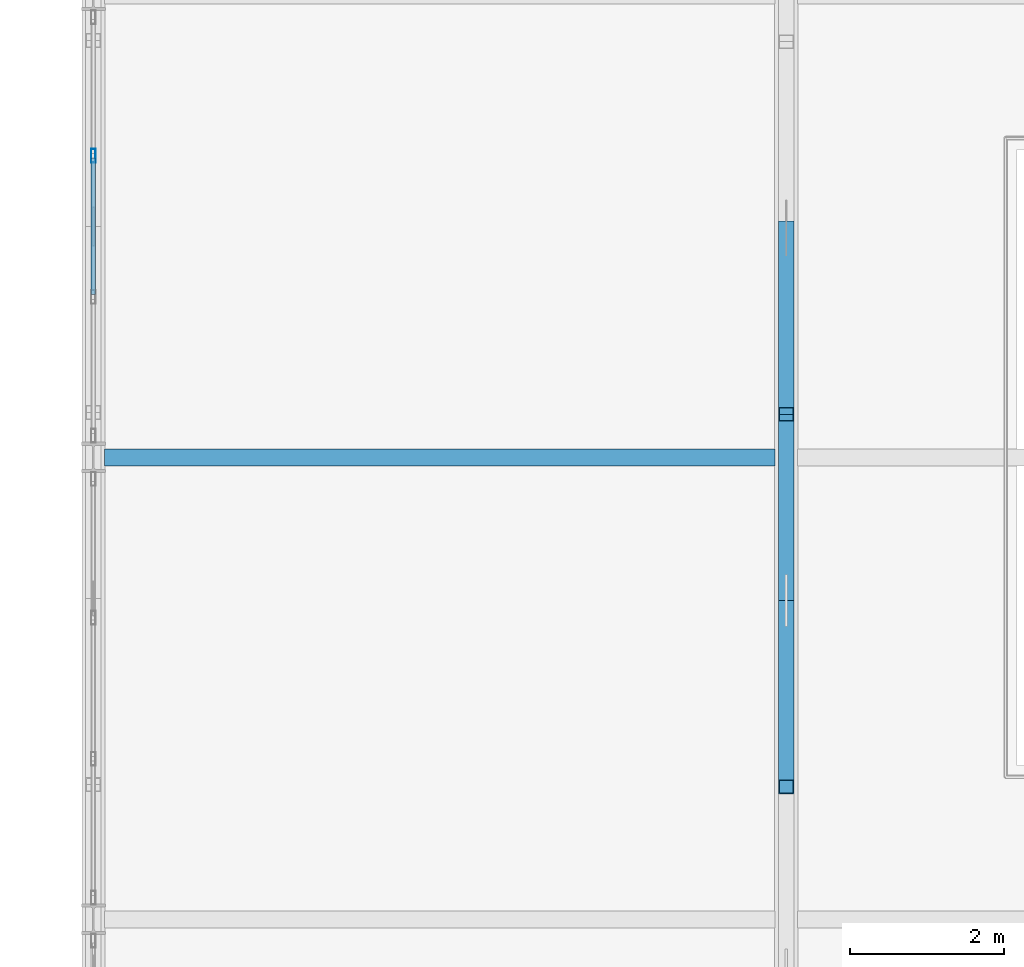
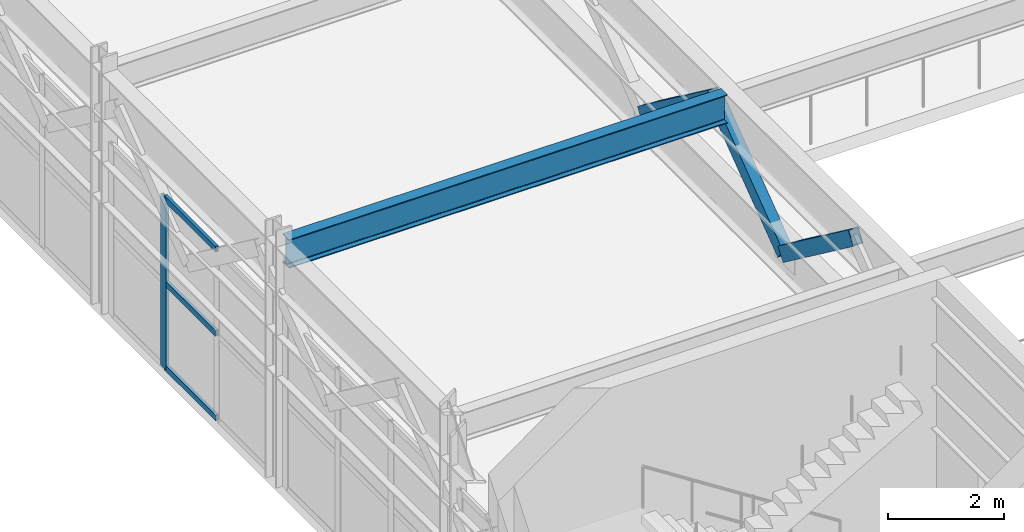
# One storey, part 24 of 210: 7 members, 1 beam, 1 element without a shape of its own.
"""IFC4 building model written with IfcOpenShell, lengths in metres."""

import ifcopenshell
import ifcopenshell.guid

model = None  # the IFC model being written
_history = None  # IfcOwnerHistory: only IFC2X3 demands one
_inside = {}  # id of a spatial element -> (the spatial element, [elements in it])
_under = {}  # id of a project, library or spatial element -> (it, [spatial elements below it])
_declared = {}  # id of a project -> (the project, [libraries it declares])
_typed = {}  # id of a type object -> (the type object, [elements of that type])
_made_of = {}  # id of a material, layer set ... -> (it, [elements and type objects made of it])


def new_model(schema):
    """Start an empty IFC model of exactly this schema.

    Asked for "IFC4X3", IfcOpenShell would pick the latest addendum, in which some entities
    have other attributes; the version numbers below select the first issue.
    IFC2X3 requires an IfcOwnerHistory on every rooted entity: one is made here for all.
    """
    global model, _history
    if schema == "IFC4X3":
        model = ifcopenshell.file(schema_version=(4, 3, 0, 0))
    else:
        model = ifcopenshell.file(schema=schema)
    _inside.clear()
    _under.clear()
    _declared.clear()
    _typed.clear()
    _made_of.clear()
    _history = None
    if model.schema == "IFC2X3":
        org = make("IfcOrganization", Name="unknown")
        user = make(
            "IfcPersonAndOrganization",
            ThePerson=make("IfcPerson", FamilyName="unknown"),
            TheOrganization=org,
        )
        app = make(
            "IfcApplication",
            ApplicationDeveloper=org,
            Version="unknown",
            ApplicationFullName="unknown",
            ApplicationIdentifier="unknown",
        )
        _history = make(
            "IfcOwnerHistory",
            OwningUser=user,
            OwningApplication=app,
            ChangeAction="ADDED",
            CreationDate=0,
        )
    return model


def make(cls, **values):
    """One entity of the class cls with the attributes given. An attribute that is None is left unset."""
    return model.create_entity(
        cls, **{name: value for name, value in values.items() if value is not None}
    )


def rooted(cls, **values):
    """An entity with a GlobalId (a new one), such as an element, a storey or a relation."""
    return make(cls, GlobalId=ifcopenshell.guid.new(), OwnerHistory=_history, **values)


def si_unit(unit_type, name, prefix=None):
    """IfcSIUnit, for example si_unit("LENGTHUNIT", "METRE", prefix="MILLI")."""
    return make("IfcSIUnit", UnitType=unit_type, Prefix=prefix, Name=name)


def assignment(units):
    """IfcUnitAssignment: the units of a project."""
    return None if units is None else make("IfcUnitAssignment", Units=units)


def point(xyz):
    """IfcCartesianPoint."""
    return None if xyz is None else make("IfcCartesianPoint", Coordinates=xyz)


def direction(xyz):
    """IfcDirection."""
    return None if xyz is None else make("IfcDirection", DirectionRatios=xyz)


def frame(location, z_axis=None, x_axis=None):
    """IfcAxis2Placement3D, a coordinate frame: its origin and axes. An axis left out is left unset."""
    return make(
        "IfcAxis2Placement3D",
        Location=point(location),
        Axis=direction(z_axis),
        RefDirection=direction(x_axis),
    )


def frame_2d(location, x_axis=None):
    """IfcAxis2Placement2D, a coordinate frame in the plane: its origin and x axis."""
    return make(
        "IfcAxis2Placement2D", Location=point(location), RefDirection=direction(x_axis)
    )


def origin():
    """The frame at (0, 0, 0) with its axes left unset."""
    return frame((0.0, 0.0, 0.0))


def origin_2d():
    """The frame at (0, 0) in the plane with its x axis left unset."""
    return frame_2d((0.0, 0.0))


def place(relative_to, where):
    """IfcLocalPlacement: puts the frame where relative to a parent placement (None: the world)."""
    return make(
        "IfcLocalPlacement", PlacementRelTo=relative_to, RelativePlacement=where
    )


def context(
    kind, dimensions, precision=None, world=None, true_north=None, identifier=None
):
    """IfcGeometricRepresentationContext, for example the 3D "Model" context."""
    return make(
        "IfcGeometricRepresentationContext",
        ContextIdentifier=identifier,
        ContextType=kind,
        CoordinateSpaceDimension=dimensions,
        Precision=precision,
        WorldCoordinateSystem=world,
        TrueNorth=true_north,
    )


def subcontext(parent, identifier, kind, view, scale=None):
    """IfcGeometricRepresentationSubContext, for example "Body" below "Model"."""
    return make(
        "IfcGeometricRepresentationSubContext",
        ContextIdentifier=identifier,
        ContextType=kind,
        ParentContext=parent,
        TargetScale=scale,
        TargetView=view,
    )


def project(units=None, contexts=None):
    """IfcProject with its units and contexts."""
    return rooted(
        "IfcProject",
        Name="project",
        RepresentationContexts=contexts,
        UnitsInContext=assignment(units),
    )


def spatial(cls, under=None, at=None, **own):
    """A site, building, storey or space (cls), placed at a placement, below another one or the project."""
    s = rooted(cls, ObjectPlacement=at, **own)
    if under is not None:
        _under.setdefault(under.id(), (under, []))[1].append(s)
    return s


def profile(cls, at=None, kind="AREA", **sizes):
    """A parametric profile (cls). Its sizes go by their IFC names, for example OverallWidth=200.0."""
    return make(cls, ProfileType=kind, Position=at, **sizes)


def hollow_rectangle(**sizes):
    """IfcRectangleHollowProfileDef."""
    return profile("IfcRectangleHollowProfileDef", **sizes)


def i_section(**sizes):
    """IfcIShapeProfileDef."""
    return profile("IfcIShapeProfileDef", **sizes)


def extrude(swept, where, along, depth):
    """IfcExtrudedAreaSolid: the profile swept, set in the frame where, extruded along a direction by depth."""
    return make(
        "IfcExtrudedAreaSolid",
        SweptArea=swept,
        Position=where,
        ExtrudedDirection=direction(along),
        Depth=depth,
    )


def shape(context_of_items, identifier, shape_type, items):
    """IfcShapeRepresentation: the items that make up one representation, for example the "Body"."""
    return make(
        "IfcShapeRepresentation",
        ContextOfItems=context_of_items,
        RepresentationIdentifier=identifier,
        RepresentationType=shape_type,
        Items=items,
    )


def material(Name=None, Category=None):
    """IfcMaterial."""
    return make("IfcMaterial", Name=Name, Category=Category)


def material_profile(
    of_material, cross_section, Name=None, Category=None, Priority=None
):
    """IfcMaterialProfile: a cross section and its material."""
    return make(
        "IfcMaterialProfile",
        Name=Name,
        Material=of_material,
        Profile=cross_section,
        Priority=Priority,
        Category=Category,
    )


def profile_set(profiles, Name=None, composite=None):
    """IfcMaterialProfileSet."""
    return make(
        "IfcMaterialProfileSet",
        Name=Name,
        MaterialProfiles=profiles,
        CompositeProfile=composite,
    )


def made_of(thing, what):
    """Note that an element or type object is made of a material, layer set ...; save() writes the relation."""
    if what is not None:
        _made_of.setdefault(what.id(), (what, []))[1].append(thing)
    return thing


def type_object(cls, material=None, **own):
    """A type object (cls), such as IfcWallType, which elements share."""
    return made_of(rooted(cls, **own), material)


def element(
    cls,
    number,
    at=None,
    inside=None,
    cuts=None,
    type_object=None,
    material=None,
    context=None,
    identifier="Body",
    shape_type=None,
    held_by="IfcProductDefinitionShape",
    body=None,
    shapes=None,
    **own,
):
    """One element of the class cls, such as IfcWall. Its Tag is "e" and its number.

    at: its placement. inside: the storey or other place that contains it. cuts: it is an
    opening in that element (IfcRelVoidsElement). A single representation is given by context,
    identifier, shape_type and body (its items); several are given by shapes. held_by: the class
    of the entity that holds the representations. save() writes the other relations.
    """
    e = rooted(cls, Tag="e%d" % number, ObjectPlacement=at, **own)
    if body is not None:
        shapes = [shape(context, identifier, shape_type, body)]
    if shapes is not None:
        e.Representation = make(held_by, Representations=shapes)
    if inside is not None:
        _inside.setdefault(inside.id(), (inside, []))[1].append(e)
    if cuts is not None:
        rooted(
            "IfcRelVoidsElement", RelatingBuildingElement=cuts, RelatedOpeningElement=e
        )
    if type_object is not None:
        _typed.setdefault(type_object.id(), (type_object, []))[1].append(e)
    return made_of(e, material)


def aggregate(whole, parts):
    """IfcRelAggregates: a whole, such as a stair, and the parts it consists of."""
    return rooted("IfcRelAggregates", RelatingObject=whole, RelatedObjects=parts)


def save(model, path):
    """Write the relations noted so far, then the file.

    IfcRelAggregates (storeys below a building ...), IfcRelContainedInSpatialStructure (elements
    in a storey), IfcRelDefinesByType, IfcRelAssociatesMaterial and IfcRelDeclares: one each for
    every whole, place, type object, material and project.
    """
    for whole, parts in _under.values():
        aggregate(whole, parts)
    for where, things in _inside.values():
        rooted(
            "IfcRelContainedInSpatialStructure",
            RelatedElements=things,
            RelatingStructure=where,
        )
    for kind, things in _typed.values():
        rooted("IfcRelDefinesByType", RelatedObjects=things, RelatingType=kind)
    for what, things in _made_of.values():
        rooted("IfcRelAssociatesMaterial", RelatedObjects=things, RelatingMaterial=what)
    for by, libraries in _declared.values():
        rooted("IfcRelDeclares", RelatingContext=by, RelatedDefinitions=libraries)
    model.write(path)


model = new_model("IFC4")

# Units and contexts
model_context = context("Model", 3, precision=1e-05, world=origin(), true_north=direction((0.0, 1.0)))
body_context = subcontext(model_context, "Body", "Model", "MODEL_VIEW")
ifc_project = project(units=[si_unit("LENGTHUNIT", "METRE"), si_unit("AREAUNIT", "SQUARE_METRE"), si_unit("VOLUMEUNIT", "CUBIC_METRE"), si_unit("PLANEANGLEUNIT", "RADIAN"), si_unit("MASSUNIT", "GRAM", prefix="KILO")], contexts=[model_context])

# Site, building, storey
site_placement = place(None, origin())
site = spatial("IfcSite", under=ifc_project, at=site_placement, CompositionType="ELEMENT")
building_placement = place(site_placement, origin())
building = spatial("IfcBuilding", under=site, at=building_placement, Name="Kaldris Quays Convention Centre", CompositionType="ELEMENT")
storey_placement = place(building_placement, frame((0.0, 0.0, 6.0)))
storey = spatial("IfcBuildingStorey", under=building, at=storey_placement, Name="L01", CompositionType="ELEMENT", Elevation=6.0)

# Curtain wall, members
ifc_material_1 = material(Name="Anodized aluminium AW-6060 and triple glazing", Category="aluminium")
curtain_wall_type = type_object("IfcCurtainWallType", Name="UNITISED CURTAIN WALL CW05", PredefinedType="NOTDEFINED", material=ifc_material_1)
curtain_wall_placement = place(storey_placement, origin())
curtain_wall = element("IfcCurtainWall", 1, at=curtain_wall_placement, inside=storey, type_object=curtain_wall_type, Name="L01 Unitised Curtain Wall CW05 75", PredefinedType="NOTDEFINED")
ifc_material_2 = material(Name="Anodized aluminium AW-6060", Category="aluminium")
ifc_material_profile_1 = material_profile(ifc_material_2, hollow_rectangle(XDim=0.06005859375, YDim=0.179931640625, WallThickness=0.0048828125, at=origin_2d()), Name="RHS 180x60x5")
ifc_profile_set_1 = profile_set([ifc_material_profile_1], Name="Anodized aluminium AW-6060")
member_type_1 = type_object("IfcMemberType", Name="CURTAIN MULLION CWM2", PredefinedType="MULLION", material=ifc_profile_set_1)
member_1_placement = place(storey_placement, frame((20.0, 31.916748046875, 0.0), z_axis=(0.0, 0.0, 1.0), x_axis=(-1.0, 0.0, 0.0)))
member_1 = element("IfcMember", 2, at=member_1_placement, type_object=member_type_1, Name="CW05 mullion 3", PredefinedType="MULLION", context=body_context, shape_type="SweptSolid", body=[
    extrude(hollow_rectangle(XDim=0.06005859375, YDim=0.179931640625, WallThickness=0.0048828125, at=origin_2d()), origin(), (0.0, 0.0, 1.0), 3.60009765625),
])
ifc_material_profile_2 = material_profile(ifc_material_2, hollow_rectangle(XDim=0.06005859375, YDim=0.1201171875, WallThickness=0.00390625, at=origin_2d()), Name="RHS 120x60x4")
ifc_profile_set_2 = profile_set([ifc_material_profile_2], Name="Anodized aluminium AW-6060")
member_type_2 = type_object("IfcMemberType", Name="CURTAIN TRANSOM CWT1", PredefinedType="USERDEFINED", material=ifc_profile_set_2)
member_2_placement = place(storey_placement, frame((20.0, 30.11328125, 0.030029296875), z_axis=(0.0, 1.0, 0.0), x_axis=(-1.0, 0.0, 0.0)))
member_2 = element("IfcMember", 3, at=member_2_placement, type_object=member_type_2, Name="CW05 transom 2.1", ObjectType="TRANSOM", PredefinedType="USERDEFINED", context=body_context, shape_type="SweptSolid", body=[
    extrude(hollow_rectangle(XDim=0.06005859375, YDim=0.1201171875, WallThickness=0.00390625, at=origin_2d()), origin(), (0.0, 0.0, 1.0), 1.7734375),
])
member_3_placement = place(storey_placement, frame((20.0, 30.11328125, 1.800048828125), z_axis=(0.0, 1.0, 0.0), x_axis=(-1.0, 0.0, 0.0)))
member_3 = element("IfcMember", 4, at=member_3_placement, type_object=member_type_2, Name="CW05 transom 2.2", ObjectType="TRANSOM", PredefinedType="USERDEFINED", context=body_context, shape_type="SweptSolid", body=[
    extrude(hollow_rectangle(XDim=0.06005859375, YDim=0.1201171875, WallThickness=0.00390625, at=origin_2d()), origin(), (0.0, 0.0, 1.0), 1.7734375),
])
member_4_placement = place(storey_placement, frame((20.0, 30.11328125, 3.570068359375), z_axis=(0.0, 1.0, 0.0), x_axis=(-1.0, 0.0, 0.0)))
member_4 = element("IfcMember", 5, at=member_4_placement, type_object=member_type_2, Name="CW05 transom 2.3", ObjectType="TRANSOM", PredefinedType="USERDEFINED", context=body_context, shape_type="SweptSolid", body=[
    extrude(hollow_rectangle(XDim=0.06005859375, YDim=0.1201171875, WallThickness=0.00390625, at=origin_2d()), origin(), (0.0, 0.0, 1.0), 1.7734375),
])
aggregate(curtain_wall, [member_1, member_2, member_3, member_4])

# Beam
ifc_material_3 = material(Name="Steel S355J2", Category="steel")
ifc_material_profile_3 = material_profile(ifc_material_3, i_section(OverallWidth=0.219970703125, OverallDepth=0.60009765625, WebThickness=0.011962890625, FlangeThickness=0.01904296875, FilletRadius=0.02392578125, at=origin_2d()), Name="IPE 600")
ifc_profile_set_3 = profile_set([ifc_material_profile_3], Name="Steel S355J2")
beam_type = type_object("IfcBeamType", Name="STRUCTURAL BEAM BM10", PredefinedType="BEAM", material=ifc_profile_set_3)
beam_placement = place(storey_placement, frame((20.14501953125, 28.0, 4.758056640625), z_axis=(1.0, 0.0, 0.0), x_axis=(0.0, 1.0, 0.0)))
element("IfcBeam", 6, at=beam_placement, inside=storey, type_object=beam_type, Name="L01 Ballroom Tie Beam BM10", PredefinedType="BEAM", context=body_context, shape_type="SweptSolid", body=[
    extrude(i_section(OverallWidth=0.219970703125, OverallDepth=0.60009765625, WebThickness=0.011962890625, FlangeThickness=0.01904296875, FilletRadius=0.02392578125, at=origin_2d()), origin(), (0.0, 0.0, 1.0), 8.7099609375),
])

# Members
ifc_material_4 = material(Name="Steel S355J2H", Category="steel")
ifc_material_profile_4 = material_profile(ifc_material_4, hollow_rectangle(XDim=0.199951171875, YDim=0.300048828125, WallThickness=0.012451171875, at=origin_2d()), Name="RHS 300x200x12.5")
ifc_profile_set_4 = profile_set([ifc_material_profile_4], Name="Steel S355J2H")
member_type_3 = type_object("IfcMemberType", Name="STRUCTURAL MEMBER TTD1", PredefinedType="BRACE", material=ifc_profile_set_4)
member_5_placement = place(storey_placement, frame((29.0, 26.139892578125, 2.75), z_axis=(0.0, -0.801084905857, 0.598550727681), x_axis=(1.0, 0.0, 0.0)))
element("IfcMember", 7, at=member_5_placement, inside=storey, type_object=member_type_3, Name="Transfer Truss TT02 Diagonal 2", PredefinedType="BRACE", context=body_context, shape_type="SweptSolid", body=[
    extrude(hollow_rectangle(XDim=0.199951171875, YDim=0.300048828125, WallThickness=0.012451171875, at=origin_2d()), origin(), (0.0, 0.0, 1.0), 3.020751953125),
])
member_6_placement = place(storey_placement, frame((29.0, 26.139892578125, 2.75), z_axis=(0.0, 0.801113857753, 0.598511977254), x_axis=(-1.0, 0.0, 0.0)))
element("IfcMember", 8, at=member_6_placement, inside=storey, type_object=member_type_3, Name="Transfer Truss TT02 Diagonal 3", PredefinedType="BRACE", context=body_context, shape_type="SweptSolid", body=[
    extrude(hollow_rectangle(XDim=0.199951171875, YDim=0.300048828125, WallThickness=0.012451171875, at=origin_2d()), origin(), (0.0, 0.0, 1.0), 3.02099609375),
])
member_7_placement = place(storey_placement, frame((29.0, 30.97998046875, 2.75), z_axis=(0.0, -0.801084905857, 0.598550727681), x_axis=(1.0, 0.0, 0.0)))
element("IfcMember", 9, at=member_7_placement, inside=storey, type_object=member_type_3, Name="Transfer Truss TT02 Diagonal 4", PredefinedType="BRACE", context=body_context, shape_type="SweptSolid", body=[
    extrude(hollow_rectangle(XDim=0.199951171875, YDim=0.300048828125, WallThickness=0.012451171875, at=origin_2d()), origin(), (0.0, 0.0, 1.0), 3.020751953125),
])

save(model, "model.ifc")
